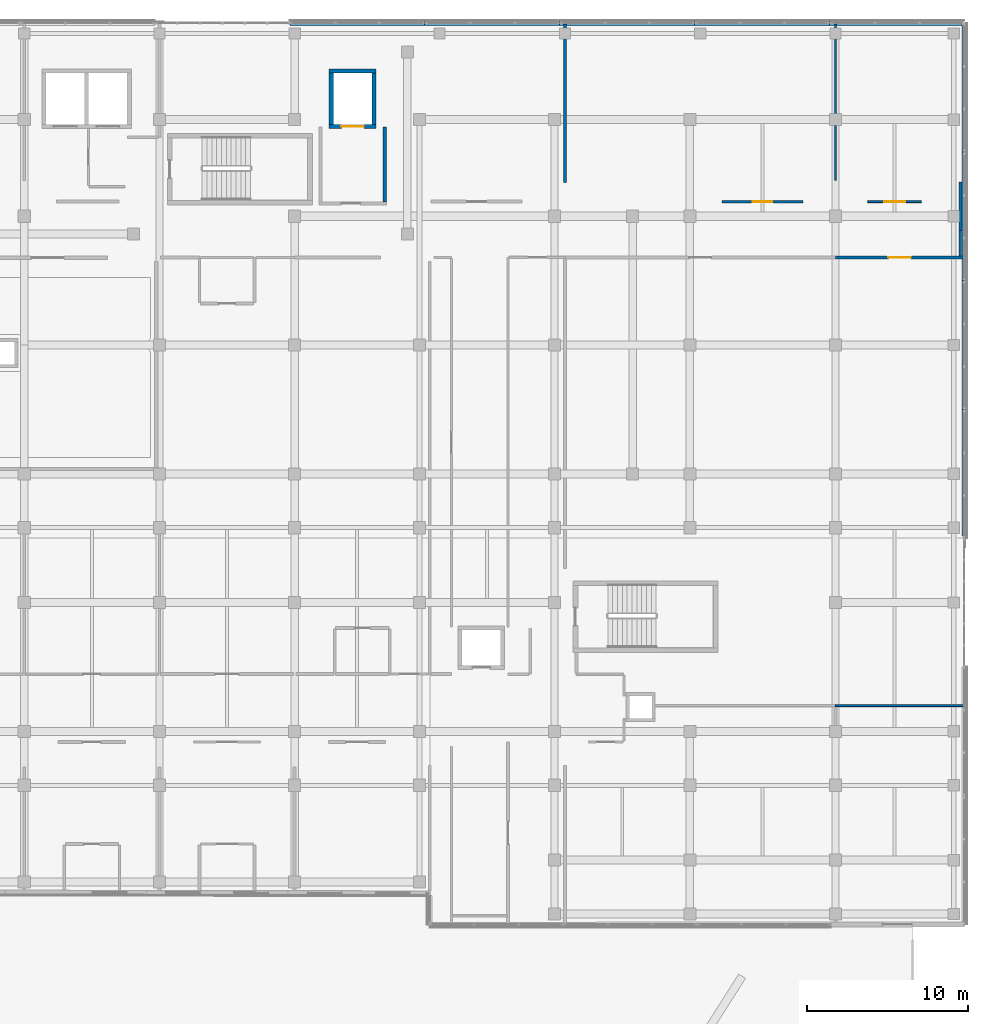
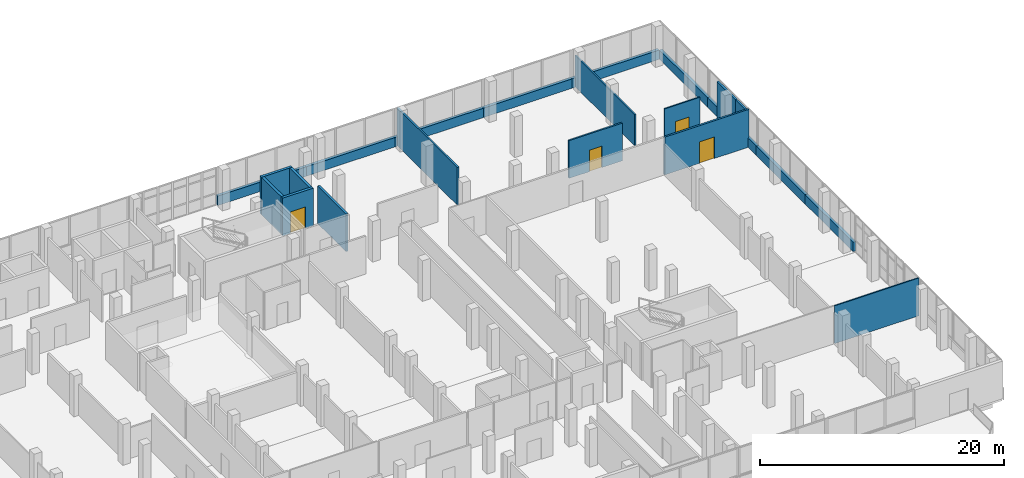
# One storey, part 91 of 101: 22 walls, 4 doors, 4 openings.
"""IFC4 building model written with IfcOpenShell, lengths in metres."""

from ifc_helpers import new_model, si_unit, direction, frame, frame_2d, origin, place, context, subcontext, project, spatial, rectangle, extrude, material, layer, layer_set, type_object, element, fill, save


model = new_model("IFC4")

# Units and contexts
model_context = context("Model", 3, precision=1e-05, world=origin(), true_north=direction((0.0, 1.0)))
body_context = subcontext(model_context, "Body", "Model", "MODEL_VIEW")
ifc_project = project(units=[si_unit("LENGTHUNIT", "METRE"), si_unit("AREAUNIT", "SQUARE_METRE"), si_unit("VOLUMEUNIT", "CUBIC_METRE"), si_unit("PLANEANGLEUNIT", "RADIAN"), si_unit("MASSUNIT", "GRAM", prefix="KILO")], contexts=[model_context])

# Site, building, storey
site_placement = place(None, origin())
site = spatial("IfcSite", under=ifc_project, at=site_placement, CompositionType="ELEMENT")
building_placement = place(site_placement, origin())
building = spatial("IfcBuilding", under=site, at=building_placement, Name="Selatvlak General Hospital", CompositionType="ELEMENT")
storey_placement = place(building_placement, frame((0.0, 0.0, 19.199951171875)))
storey = spatial("IfcBuildingStorey", under=building, at=storey_placement, Name="L04", CompositionType="ELEMENT", Elevation=19.199951171875)

# Walls
ifc_material_1 = material(Name="Precast concrete C40/50 - white Bauhaus spandrel", Category="concrete")
ifc_layer_1 = layer(ifc_material_1, 0.280029296875, Name="Precast concrete C40/50 - white Bauhaus spandrel", Category="concrete")
ifc_layer_set_1 = layer_set([ifc_layer_1], Name="Precast concrete C40/50 - white Bauhaus spandrel")
wall_type_1 = type_object("IfcWallType", Name="WALL-EW-02", PredefinedType="SOLIDWALL", material=ifc_layer_set_1)
for number, where, z_axis, x_axis, name in (
    (1, (140.10107421875, 120.0, 0.0), (0.0, 0.0, 1.0), (1.0, 0.0, 0.0), "L04 Bauhaus spandrel sill wall 0441"),
    (2, (148.48095703125, 120.0, 0.0), (0.0, 0.0, 1.0), (1.0, 0.0, 0.0), "L04 Bauhaus spandrel sill wall 0442"),
    (3, (156.861083984375, 120.0, 0.0), (0.0, 0.0, 1.0), (1.0, 0.0, 0.0), "L04 Bauhaus spandrel sill wall 0443"),
    (4, (165.240966796875, 120.0, 0.0), (0.0, 0.0, 1.0), (1.0, 0.0, 0.0), "L04 Bauhaus spandrel sill wall 0444"),
):
    element("IfcWall", number, at=place(storey_placement, frame(where, z_axis=z_axis, x_axis=x_axis)), inside=storey, type_object=wall_type_1, Name=name, PredefinedType="SOLIDWALL", context=body_context, shape_type="SweptSolid", body=[
        extrude(rectangle(XDim=8.3759765625, YDim=0.280029296875, at=frame_2d((4.18798828125, 0.0))), origin(), (0.0, 0.0, 1.0), 0.93994140625),
    ])
wall_1_placement = place(storey_placement, frame((173.62109375, 120.0, 0.0), z_axis=(0.0, 0.0, 1.0), x_axis=(1.0, 0.0, 0.0)))
element("IfcWall", 5, at=wall_1_placement, inside=storey, type_object=wall_type_1, Name="L04 Bauhaus spandrel sill wall 0445", PredefinedType="SOLIDWALL", context=body_context, shape_type="SweptSolid", body=[
    extrude(rectangle(XDim=8.23779296875, YDim=0.280029296875, at=frame_2d((4.118896484375, 0.0))), origin(), (0.0, 0.0, 1.0), 0.93994140625),
])
wall_2_placement = place(storey_placement, frame((181.9990234375, 119.860107421875, 0.0), z_axis=(0.0, 0.0, 1.0), x_axis=(0.0, -1.0, 0.0)))
element("IfcWall", 6, at=wall_2_placement, inside=storey, type_object=wall_type_1, Name="L04 Bauhaus spandrel sill wall 0446", PredefinedType="SOLIDWALL", context=body_context, shape_type="SweptSolid", body=[
    extrude(rectangle(XDim=7.858154296875, YDim=0.280029296875, at=frame_2d((3.92919921875, 0.0))), origin(), (0.0, 0.0, 1.0), 0.93994140625),
])
wall_3_placement = place(storey_placement, frame((181.9990234375, 111.998046875, 0.0), z_axis=(0.0, 0.0, 1.0), x_axis=(0.000122144863, -0.99999999254, 0.0)))
element("IfcWall", 7, at=wall_3_placement, inside=storey, type_object=wall_type_1, Name="L04 Bauhaus spandrel sill wall 0447", PredefinedType="SOLIDWALL", context=body_context, shape_type="SweptSolid", body=[
    extrude(rectangle(XDim=7.9951171875, YDim=0.280029296875, at=frame_2d((3.99755859375, 0.0))), origin(), (0.0, 0.0, 1.0), 0.93994140625),
])
wall_4_placement = place(storey_placement, frame((182.0, 103.9990234375, 0.0), z_axis=(0.0, 0.0, 1.0), x_axis=(0.0, -1.0, 0.0)))
element("IfcWall", 8, at=wall_4_placement, inside=storey, type_object=wall_type_1, Name="L04 Bauhaus spandrel sill wall 0448", PredefinedType="SOLIDWALL", context=body_context, shape_type="SweptSolid", body=[
    extrude(rectangle(XDim=7.99609375, YDim=0.280029296875, at=frame_2d((3.998046875, 0.0))), origin(), (0.0, 0.0, 1.0), 0.93994140625),
])
wall_5_placement = place(storey_placement, frame((182.0, 95.9990234375, 0.0), z_axis=(0.0, 0.0, 1.0), x_axis=(0.0, -1.0, 0.0)))
element("IfcWall", 9, at=wall_5_placement, inside=storey, type_object=wall_type_1, Name="L04 Bauhaus spandrel sill wall 0449", PredefinedType="SOLIDWALL", context=body_context, shape_type="SweptSolid", body=[
    extrude(rectangle(XDim=7.85791015625, YDim=0.280029296875, at=frame_2d((3.928955078125, 0.0))), origin(), (0.0, 0.0, 1.0), 0.93994140625),
])
ifc_material_2 = material(Name="Concrete C40/50", Category="concrete")
ifc_layer_2 = layer(ifc_material_2, 0.199951171875, Name="Concrete C40/50", Category="concrete")
ifc_layer_set_2 = layer_set([ifc_layer_2], Name="Concrete C40/50")
wall_type_2 = type_object("IfcWallType", Name="WALL-IW-02", PredefinedType="SOLIDWALL", material=ifc_layer_set_2)
wall_6_placement = place(storey_placement, frame((146.0, 108.89990234375, 0.0), z_axis=(0.0, 0.0, 1.0), x_axis=(0.0, 1.0, 0.0)))
element("IfcWall", 10, at=wall_6_placement, inside=storey, type_object=wall_type_2, Name="Firefighting lobby C4 wall L04 E", PredefinedType="SOLIDWALL", context=body_context, shape_type="SweptSolid", body=[
    extrude(rectangle(XDim=4.650146484375, YDim=0.199951171875, at=frame_2d((2.3251953125, 0.0))), origin(), (0.0, 0.0, 1.0), 3.77001953125),
])

# Wall, opening, door
ifc_material_3 = material(Name="Acoustic gypsum stud partition")
ifc_layer_3 = layer(ifc_material_3, 0.179931640625, Name="Acoustic gypsum stud partition")
ifc_layer_set_3 = layer_set([ifc_layer_3], Name="Acoustic gypsum stud partition")
wall_type_3 = type_object("IfcWallType", Name="WALL-PT-01", PredefinedType="PARTITIONING", material=ifc_layer_set_3)
wall_7_placement = place(storey_placement, frame((174.0, 105.43994140625, 0.0), z_axis=(0.0, 0.0, 1.0), x_axis=(1.0, 0.0, 0.0)))
wall_7 = element("IfcWall", 11, at=wall_7_placement, inside=storey, type_object=wall_type_3, Name="L04 clinical partition PT-L04-1780", PredefinedType="PARTITIONING", context=body_context, shape_type="SweptSolid", body=[
    extrude(rectangle(XDim=7.9580078125, YDim=0.179931640625, at=frame_2d((3.97900390625, 0.0))), origin(), (0.0, 0.0, 1.0), 3.77001953125),
])
opening_1_placement = place(wall_7_placement, frame((3.279052734375, 0.0, 0.0)))
opening_1 = element("IfcOpeningElement", 12, at=opening_1_placement, cuts=wall_7, Name="Opening D-11", PredefinedType="OPENING", context=body_context, shape_type="SweptSolid", body=[
    extrude(rectangle(XDim=1.39990234375, YDim=2.14990234375, at=frame_2d((0.699951171875, 1.074951171875))), frame((0.0, 0.099853515625, 0.0), z_axis=(0.0, -1.0, 0.0), x_axis=(1.0, 0.0, 0.0)), (0.0, 0.0, 1.0), 0.199951171875),
])
ifc_material_4 = material(Name="Inpatient suite bed door")
door_type_1 = type_object("IfcDoorType", Name="DOOR-D-11", OperationType="NOTDEFINED", PredefinedType="DOOR", material=ifc_material_4)
door_1_placement = place(opening_1_placement, origin())
door_1 = element("IfcDoor", 13, at=door_1_placement, inside=storey, type_object=door_type_1, Name="L04 Paediatric Inpatient Ward Bay 25 door", OperationType="SINGLE_SWING_LEFT", OverallHeight=2.14990234375, OverallWidth=1.39990234375, PredefinedType="DOOR", context=body_context, shape_type="SweptSolid", body=[
    extrude(rectangle(XDim=1.39990234375, YDim=2.14990234375, at=frame_2d((0.699951171875, 1.074951171875))), frame((0.0, 0.02490234375, 0.0), z_axis=(0.0, -1.0, 0.0), x_axis=(1.0, 0.0, 0.0)), (0.0, 0.0, 1.0), 0.050048828125),
])
fill(opening_1, door_1)

# Walls
wall_8_placement = place(storey_placement, frame((181.760009765625, 107.10009765625, 0.0), z_axis=(0.0, 0.0, 1.0), x_axis=(0.0, 1.0, 0.0)))
element("IfcWall", 14, at=wall_8_placement, inside=storey, type_object=wall_type_3, Name="L04 clinical partition PT-L04-1835", PredefinedType="PARTITIONING", context=body_context, shape_type="SweptSolid", body=[
    extrude(rectangle(XDim=3.018798828125, YDim=0.179931640625, at=frame_2d((1.50927734375, 0.0))), origin(), (0.0, 0.0, 1.0), 3.77001953125),
])
ifc_layer_4 = layer(ifc_material_3, 0.1650390625, Name="Acoustic gypsum stud partition")
ifc_layer_set_4 = layer_set([ifc_layer_4], Name="Acoustic gypsum stud partition")
wall_type_4 = type_object("IfcWallType", Name="WALL-PT-02", PredefinedType="PARTITIONING", material=ifc_layer_set_4)
wall_9_placement = place(storey_placement, frame((181.760009765625, 105.52587890625, 0.0), z_axis=(0.0, 0.0, 1.0), x_axis=(0.0, 1.0, 0.0)))
element("IfcWall", 15, at=wall_9_placement, inside=storey, type_object=wall_type_4, Name="L04 clinical partition PT-L04-1781", PredefinedType="PARTITIONING", context=body_context, shape_type="SweptSolid", body=[
    extrude(rectangle(XDim=1.57421875, YDim=0.1650390625, at=frame_2d((0.787109375, 0.0))), origin(), (0.0, 0.0, 1.0), 3.77001953125),
])
wall_10_placement = place(storey_placement, frame((157.199951171875, 119.9580078125, 0.0), z_axis=(0.0, 0.0, 1.0), x_axis=(0.0, -1.0, 0.0)))
element("IfcWall", 16, at=wall_10_placement, inside=storey, type_object=wall_type_4, Name="L04 clinical partition PT-L04-1831", PredefinedType="PARTITIONING", context=body_context, shape_type="SweptSolid", body=[
    extrude(rectangle(XDim=9.845947265625, YDim=0.1650390625, at=frame_2d((4.9228515625, 0.0))), origin(), (0.0, 0.0, 1.0), 3.77001953125),
])

# Wall, opening, door
ifc_layer_5 = layer(ifc_material_3, 0.14990234375, Name="Acoustic gypsum stud partition")
ifc_layer_set_5 = layer_set([ifc_layer_5], Name="Acoustic gypsum stud partition")
wall_type_5 = type_object("IfcWallType", Name="WALL-PT-03", PredefinedType="PARTITIONING", material=ifc_layer_set_5)
wall_11_placement = place(storey_placement, frame((171.989013671875, 108.909912109375, 0.0), z_axis=(0.0, 0.0, 1.0), x_axis=(-1.0, 0.0, 0.0)))
wall_11 = element("IfcWall", 17, at=wall_11_placement, inside=storey, type_object=wall_type_5, Name="L04 clinical partition PT-L04-1832", PredefinedType="PARTITIONING", context=body_context, shape_type="SweptSolid", body=[
    extrude(rectangle(XDim=5.028076171875, YDim=0.14990234375, at=frame_2d((2.51416015625, 0.0))), origin(), (0.0, 0.0, 1.0), 3.77001953125),
])
opening_2_placement = place(wall_11_placement, frame((1.9140625, 0.0, 0.0)))
opening_2 = element("IfcOpeningElement", 18, at=opening_2_placement, cuts=wall_11, Name="Opening D-23", PredefinedType="OPENING", context=body_context, shape_type="SweptSolid", body=[
    extrude(rectangle(XDim=1.199951171875, YDim=2.14990234375, at=frame_2d((0.60009765625, 1.074951171875))), frame((0.0, 0.0849609375, 0.0), z_axis=(0.0, -1.0, 0.0), x_axis=(1.0, 0.0, 0.0)), (0.0, 0.0, 1.0), 0.169921875),
])
ifc_material_5 = material(Name="Endoscopy clinical door")
door_type_2 = type_object("IfcDoorType", Name="DOOR-D-23", OperationType="NOTDEFINED", PredefinedType="DOOR", material=ifc_material_5)
door_2_placement = place(opening_2_placement, origin())
door_2 = element("IfcDoor", 19, at=door_2_placement, inside=storey, type_object=door_type_2, Name="L04 Multidisciplinary Rehabilitation Gymnasium 41 door", OperationType="SINGLE_SWING_LEFT", OverallHeight=2.14990234375, OverallWidth=1.199951171875, PredefinedType="DOOR", context=body_context, shape_type="SweptSolid", body=[
    extrude(rectangle(XDim=1.199951171875, YDim=2.14990234375, at=frame_2d((0.60009765625, 1.074951171875))), frame((0.0, 0.02490234375, 0.0), z_axis=(0.0, -1.0, 0.0), x_axis=(1.0, 0.0, 0.0)), (0.0, 0.0, 1.0), 0.050048828125),
])
fill(opening_2, door_2)

# Walls
ifc_material_6 = material(Name="Moisture-resistant clinical partition")
ifc_layer_6 = layer(ifc_material_6, 0.135009765625, Name="Moisture-resistant clinical partition")
ifc_layer_set_6 = layer_set([ifc_layer_6], Name="Moisture-resistant clinical partition")
wall_type_6 = type_object("IfcWallType", Name="WALL-PT-04", PredefinedType="PARTITIONING", material=ifc_layer_set_6)
wall_12_placement = place(storey_placement, frame((174.0, 119.9580078125, 0.0), z_axis=(0.0, 0.0, 1.0), x_axis=(0.0, -1.0, 0.0)))
element("IfcWall", 20, at=wall_12_placement, inside=storey, type_object=wall_type_6, Name="L04 clinical partition PT-L04-1833", PredefinedType="PARTITIONING", context=body_context, shape_type="SweptSolid", body=[
    extrude(rectangle(XDim=9.748046875, YDim=0.135009765625, at=frame_2d((4.8740234375, 0.0))), origin(), (0.0, 0.0, 1.0), 3.1201171875),
])
ifc_layer_7 = layer(ifc_material_6, 0.1201171875, Name="Moisture-resistant clinical partition")
ifc_layer_set_7 = layer_set([ifc_layer_7], Name="Moisture-resistant clinical partition")
wall_type_7 = type_object("IfcWallType", Name="WALL-PT-05", PredefinedType="PARTITIONING", material=ifc_layer_set_7)
wall_13_placement = place(storey_placement, frame((181.9580078125, 77.60009765625, 0.0), z_axis=(0.0, 0.0, 1.0), x_axis=(-1.0, 0.0, 0.0)))
element("IfcWall", 21, at=wall_13_placement, inside=storey, type_object=wall_type_7, Name="L04 clinical partition PT-L04-1779", PredefinedType="PARTITIONING", context=body_context, shape_type="SweptSolid", body=[
    extrude(rectangle(XDim=7.9580078125, YDim=0.1201171875, at=frame_2d((3.97900390625, 0.0))), origin(), (0.0, 0.0, 1.0), 3.77001953125),
])

# Wall, opening, door
wall_14_placement = place(storey_placement, frame((179.339111328125, 108.909912109375, 0.0), z_axis=(0.0, 0.0, 1.0), x_axis=(-1.0, 0.0, 0.0)))
wall_14 = element("IfcWall", 22, at=wall_14_placement, inside=storey, type_object=wall_type_7, Name="L04 clinical partition PT-L04-1834", PredefinedType="PARTITIONING", context=body_context, shape_type="SweptSolid", body=[
    extrude(rectangle(XDim=3.328125, YDim=0.1201171875, at=frame_2d((1.6640625, 0.0))), origin(), (0.0, 0.0, 1.0), 3.77001953125),
])
opening_3_placement = place(wall_14_placement, frame((1.013916015625, 0.0, 0.0)))
opening_3 = element("IfcOpeningElement", 23, at=opening_3_placement, cuts=wall_14, Name="Opening D-24", PredefinedType="OPENING", context=body_context, shape_type="SweptSolid", body=[
    extrude(rectangle(XDim=1.300048828125, YDim=2.14990234375, at=frame_2d((0.64990234375, 1.074951171875))), frame((0.0, 0.070068359375, 0.0), z_axis=(0.0, -1.0, 0.0), x_axis=(1.0, 0.0, 0.0)), (0.0, 0.0, 1.0), 0.14013671875),
])
ifc_material_7 = material(Name="Oncology bay door")
door_type_3 = type_object("IfcDoorType", Name="DOOR-D-24", OperationType="NOTDEFINED", PredefinedType="DOOR", material=ifc_material_7)
door_3_placement = place(opening_3_placement, origin())
door_3 = element("IfcDoor", 24, at=door_3_placement, inside=storey, type_object=door_type_3, Name="L04 Ward Treatment Procedure Room 42 door", OperationType="SINGLE_SWING_RIGHT", OverallHeight=2.14990234375, OverallWidth=1.300048828125, PredefinedType="DOOR", context=body_context, shape_type="SweptSolid", body=[
    extrude(rectangle(XDim=1.300048828125, YDim=2.14990234375, at=frame_2d((0.64990234375, 1.074951171875))), frame((0.0, 0.02490234375, 0.0), z_axis=(0.0, -1.0, 0.0), x_axis=(1.0, 0.0, 0.0)), (0.0, 0.0, 1.0), 0.050048828125),
])
fill(opening_3, door_3)

ifc_layer_8 = layer(ifc_material_2, 0.25, Name="Concrete C40/50", Category="concrete")
ifc_layer_set_8 = layer_set([ifc_layer_8], Name="Concrete C40/50")
wall_type_8 = type_object("IfcWallType", Name="WALL-SW-03", PredefinedType="SHEAR", material=ifc_layer_set_8)
wall_15_placement = place(storey_placement, frame((142.550048828125, 113.574951171875, 0.0), z_axis=(0.0, 0.0, 1.0), x_axis=(1.0, 0.0, 0.0)))
wall_15 = element("IfcWall", 25, at=wall_15_placement, inside=storey, type_object=wall_type_8, Name="Lift LF-03 shaft wall L04 S", PredefinedType="SHEAR", context=body_context, shape_type="SweptSolid", body=[
    extrude(rectangle(XDim=2.89990234375, YDim=0.25, at=frame_2d((1.449951171875, 0.0))), origin(), (0.0, 0.0, 1.0), 3.77001953125),
])
opening_4_placement = place(wall_15_placement, frame((0.75, 0.0, 0.0)))
opening_4 = element("IfcOpeningElement", 26, at=opening_4_placement, cuts=wall_15, Name="Opening LD-F1", PredefinedType="OPENING", context=body_context, shape_type="SweptSolid", body=[
    extrude(rectangle(XDim=1.39990234375, YDim=2.14990234375, at=frame_2d((0.699951171875, 1.074951171875))), frame((0.0, 0.135009765625, 0.0), z_axis=(0.0, -1.0, 0.0), x_axis=(1.0, 0.0, 0.0)), (0.0, 0.0, 1.0), 0.27001953125),
])
ifc_material_8 = material(Name="Stainless steel fire lift landing door", Category="steel")
door_type_4 = type_object("IfcDoorType", Name="DOOR-LD-F1", OperationType="DOUBLE_DOOR_SLIDING", PredefinedType="DOOR", material=ifc_material_8)
door_4_placement = place(opening_4_placement, origin())
door_4 = element("IfcDoor", 27, at=door_4_placement, inside=storey, type_object=door_type_4, Name="Lift LF-03 sliding landing door on L04", OperationType="DOUBLE_DOOR_SLIDING", OverallHeight=2.14990234375, OverallWidth=1.39990234375, PredefinedType="DOOR", context=body_context, shape_type="SweptSolid", body=[
    extrude(rectangle(XDim=1.39990234375, YDim=2.14990234375, at=frame_2d((0.699951171875, 1.074951171875))), frame((0.0, 0.02490234375, 0.0), z_axis=(0.0, -1.0, 0.0), x_axis=(1.0, 0.0, 0.0)), (0.0, 0.0, 1.0), 0.050048828125),
])
fill(opening_4, door_4)

# Walls
wall_16_placement = place(storey_placement, frame((145.324951171875, 113.699951171875, 0.0), z_axis=(0.0, 0.0, 1.0), x_axis=(0.0, 1.0, 0.0)))
element("IfcWall", 28, at=wall_16_placement, inside=storey, type_object=wall_type_8, Name="Lift LF-03 shaft wall L04 E", PredefinedType="SHEAR", context=body_context, shape_type="SweptSolid", body=[
    extrude(rectangle(XDim=3.199951171875, YDim=0.25, at=frame_2d((1.60009765625, 0.0))), origin(), (0.0, 0.0, 1.0), 3.77001953125),
])
wall_17_placement = place(storey_placement, frame((145.449951171875, 117.02490234375, 0.0), z_axis=(0.0, 0.0, 1.0), x_axis=(-1.0, 0.0, 0.0)))
element("IfcWall", 29, at=wall_17_placement, inside=storey, type_object=wall_type_8, Name="Lift LF-03 shaft wall L04 N", PredefinedType="SHEAR", context=body_context, shape_type="SweptSolid", body=[
    extrude(rectangle(XDim=2.89990234375, YDim=0.25, at=frame_2d((1.449951171875, 0.0))), origin(), (0.0, 0.0, 1.0), 3.77001953125),
])
wall_18_placement = place(storey_placement, frame((142.675048828125, 116.89990234375, 0.0), z_axis=(0.0, 0.0, 1.0), x_axis=(0.0, -1.0, 0.0)))
element("IfcWall", 30, at=wall_18_placement, inside=storey, type_object=wall_type_8, Name="Lift LF-03 shaft wall L04 W", PredefinedType="SHEAR", context=body_context, shape_type="SweptSolid", body=[
    extrude(rectangle(XDim=3.199951171875, YDim=0.25, at=frame_2d((1.60009765625, 0.0))), origin(), (0.0, 0.0, 1.0), 3.77001953125),
])

save(model, "model.ifc")
